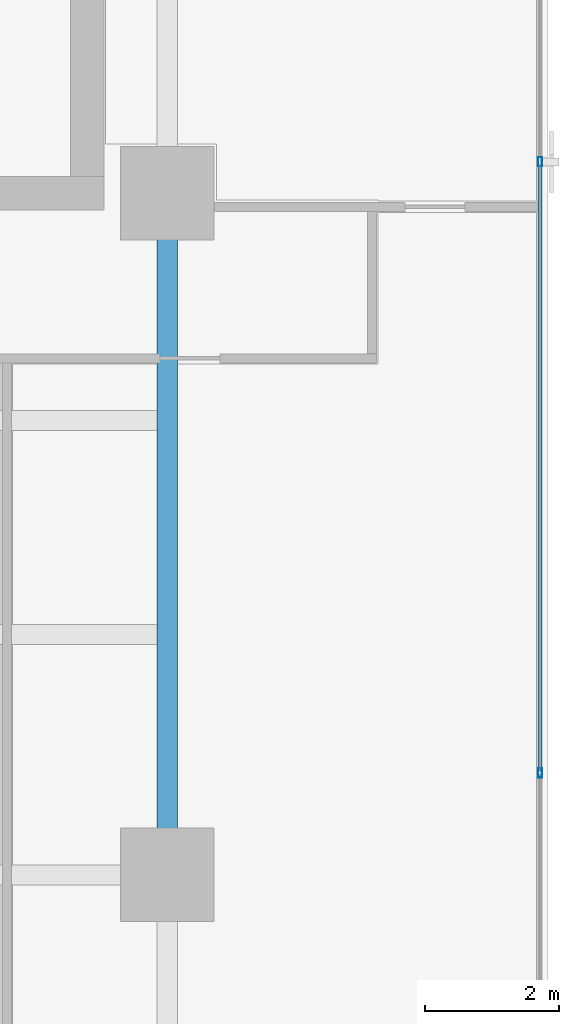
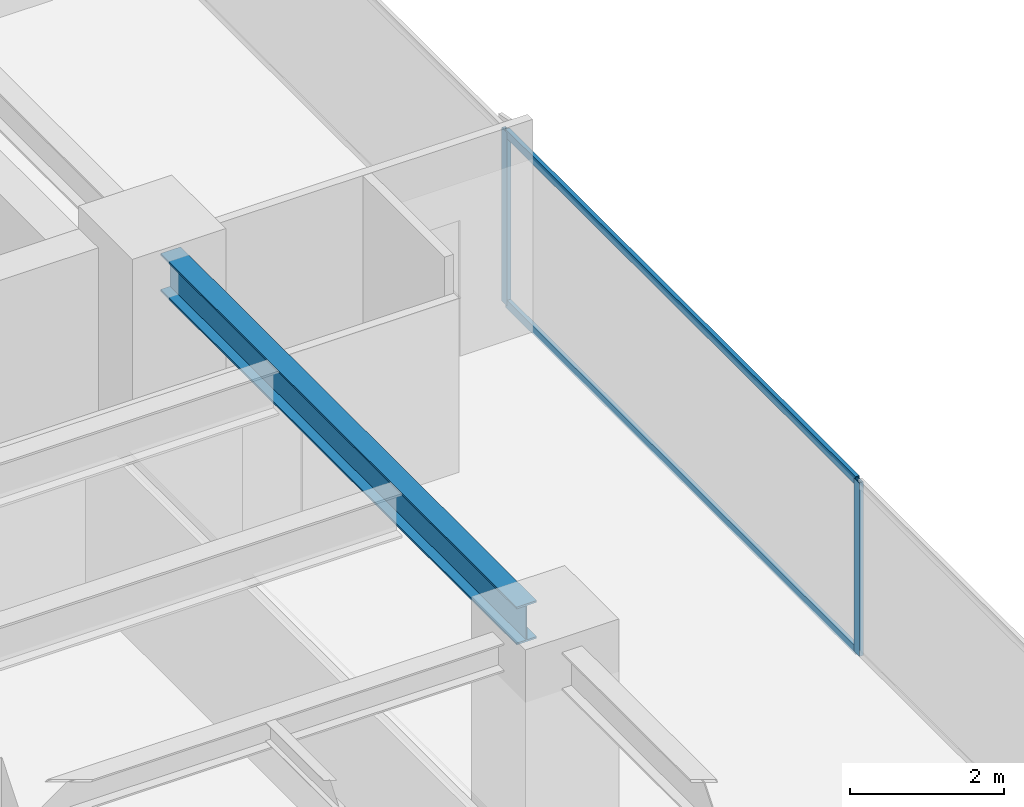
# One storey, part 13 of 25: 4 members, 1 beam, 1 element without a shape of its own.
"""IFC4 building model written with IfcOpenShell, lengths in metres."""

from ifc_helpers import new_model, si_unit, direction, frame, origin, origin_2d, place, context, subcontext, project, spatial, hollow_rectangle, i_section, extrude, source, transform, mapped, material, layer, layer_set, material_profile, profile_set, type_object, element, aggregate, save


model = new_model("IFC4")

# Units and contexts
model_context = context("Model", 3, precision=1e-05, world=origin(), true_north=direction((0.0, 1.0)))
body_context = subcontext(model_context, "Body", "Model", "MODEL_VIEW")
ifc_project = project(units=[si_unit("LENGTHUNIT", "METRE"), si_unit("AREAUNIT", "SQUARE_METRE"), si_unit("VOLUMEUNIT", "CUBIC_METRE"), si_unit("PLANEANGLEUNIT", "RADIAN"), si_unit("MASSUNIT", "GRAM", prefix="KILO")], contexts=[model_context])

# Site, building, storey
site_placement = place(None, origin())
site = spatial("IfcSite", under=ifc_project, at=site_placement, CompositionType="ELEMENT")
building_placement = place(site_placement, origin())
building = spatial("IfcBuilding", under=site, at=building_placement, Name="Sumidabori Civic Tower", CompositionType="ELEMENT")
storey_placement = place(building_placement, frame((0.0, 0.0, 239.60009765625)))
storey = spatial("IfcBuildingStorey", under=building, at=storey_placement, Name="L62", CompositionType="ELEMENT", Elevation=239.60009765625)

# Beam
ifc_material_1 = material(Name="Steel SN490", Category="steel")
ifc_material_profile_1 = material_profile(ifc_material_1, i_section(OverallWidth=0.300048828125, OverallDepth=0.60009765625, WebThickness=0.015380859375, FlangeThickness=0.030029296875, at=origin_2d()), Name="HE 600 B")
ifc_profile_set_1 = profile_set([ifc_material_profile_1], Name="Steel SN490")
beam_type = type_object("IfcBeamType", Name="BM-GIRD-600", PredefinedType="BEAM", material=ifc_profile_set_1)
shared_shape_1 = source(origin(), body_context, "Body", "SweptSolid", [
    extrude(i_section(OverallWidth=0.300048828125, OverallDepth=0.60009765625, WebThickness=0.015380859375, FlangeThickness=0.030029296875, at=origin_2d()), origin(), (0.0, 0.0, 1.0), 9.239990234375),
])
beam_placement = place(storey_placement, frame((16.800048828125, 0.47998046875, 3.06982421875), z_axis=(0.0, 1.0, 0.0), x_axis=(-1.0, 0.0, 0.0)))
element("IfcBeam", 1, at=beam_placement, inside=storey, type_object=beam_type, Name="Primary Girder L62 GY-16", PredefinedType="BEAM", context=body_context, shape_type="MappedRepresentation", body=[
    mapped(shared_shape_1, transform((0.0, 0.0, 0.0), x_axis=(1.0, 0.0, 0.0), y_axis=(0.0, 1.0, 0.0), z_axis=(0.0, 0.0, 1.0), scale=1.0)),
])

# Curtain wall, members
ifc_material_2 = material(Name="Anodised Bronze Aluminium AW-6063-T6", Category="aluminium")
ifc_layer = layer(ifc_material_2, 0.179931640625, Name="Anodised Bronze Aluminium AW-6063-T6")
ifc_layer_set = layer_set([ifc_layer], Name="Anodised Bronze Aluminium AW-6063-T6")
curtain_wall_type = type_object("IfcCurtainWallType", Name="CW-SYS-5", PredefinedType="NOTDEFINED", material=ifc_layer_set)
curtain_wall_placement = place(storey_placement, origin())
curtain_wall = element("IfcCurtainWall", 2, at=curtain_wall_placement, inside=storey, type_object=curtain_wall_type, Name="Curtain Wall CW:L62:R04", PredefinedType="NOTDEFINED")
ifc_material_profile_2 = material_profile(ifc_material_2, hollow_rectangle(XDim=0.06005859375, YDim=0.139892578125, WallThickness=0.0048828125, at=origin_2d()), Name="ALU MULLION 140x60")
ifc_profile_set_2 = profile_set([ifc_material_profile_2], Name="Anodised Bronze Aluminium AW-6063-T6")
member_type_1 = type_object("IfcMemberType", Name="CW-MUL-140", PredefinedType="MULLION", material=ifc_profile_set_2)
shared_shape_2 = source(origin(), body_context, "Body", "SweptSolid", [
    extrude(hollow_rectangle(XDim=0.06005859375, YDim=0.139892578125, WallThickness=0.0048828125, at=origin_2d()), origin(), (0.0, 0.0, 1.0), 2.75),
])
member_1_placement = place(storey_placement, frame((22.3798828125, 1.526611328125, 0.0), z_axis=(0.0, 0.0, 1.0), x_axis=(-1.0, 0.0, 0.0)))
member_1 = element("IfcMember", 3, at=member_1_placement, type_object=member_type_1, Name="CW-5 mullion 2", PredefinedType="MULLION", context=body_context, shape_type="MappedRepresentation", body=[
    mapped(shared_shape_2, transform((0.0, 0.0, 0.0), x_axis=(1.0, 0.0, 0.0), y_axis=(0.0, 1.0, 0.0), z_axis=(0.0, 0.0, 1.0), scale=1.0)),
])
member_2_placement = place(storey_placement, frame((22.3798828125, 10.67333984375, 0.0), z_axis=(0.0, 0.0, 1.0), x_axis=(-1.0, 0.0, 0.0)))
member_2 = element("IfcMember", 4, at=member_2_placement, type_object=member_type_1, Name="CW-5 mullion 3", PredefinedType="MULLION", context=body_context, shape_type="MappedRepresentation", body=[
    mapped(shared_shape_2, transform((0.0, 0.0, 0.0), x_axis=(1.0, 0.0, 0.0), y_axis=(0.0, 1.0, 0.0), z_axis=(0.0, 0.0, 1.0), scale=1.0)),
])
ifc_material_profile_3 = material_profile(ifc_material_2, hollow_rectangle(XDim=0.06005859375, YDim=0.1298828125, WallThickness=0.0048828125, at=origin_2d()), Name="ALU TRANSOM 130x60")
ifc_profile_set_3 = profile_set([ifc_material_profile_3], Name="Anodised Bronze Aluminium AW-6063-T6")
member_type_2 = type_object("IfcMemberType", Name="CW-TRN-130", PredefinedType="USERDEFINED", material=ifc_profile_set_3)
shared_shape_3 = source(origin(), body_context, "Body", "SweptSolid", [
    extrude(hollow_rectangle(XDim=0.06005859375, YDim=0.1298828125, WallThickness=0.0048828125, at=origin_2d()), origin(), (0.0, 0.0, 1.0), 9.086669921875),
])
member_3_placement = place(storey_placement, frame((22.3798828125, 1.556640625, 0.02978515625), z_axis=(0.0, 1.0, 0.0), x_axis=(-1.0, 0.0, 0.0)))
member_3 = element("IfcMember", 5, at=member_3_placement, type_object=member_type_2, Name="CW-5 transom 2.1", ObjectType="TRANSOM", PredefinedType="USERDEFINED", context=body_context, shape_type="MappedRepresentation", body=[
    mapped(shared_shape_3, transform((0.0, 0.0, 0.0), x_axis=(1.0, 0.0, 0.0), y_axis=(0.0, 1.0, 0.0), z_axis=(0.0, 0.0, 1.0), scale=1.0)),
])
member_4_placement = place(storey_placement, frame((22.3798828125, 1.556640625, 2.719970703125), z_axis=(0.0, 1.0, 0.0), x_axis=(-1.0, 0.0, 0.0)))
member_4 = element("IfcMember", 6, at=member_4_placement, type_object=member_type_2, Name="CW-5 transom 2.2", ObjectType="TRANSOM", PredefinedType="USERDEFINED", context=body_context, shape_type="MappedRepresentation", body=[
    mapped(shared_shape_3, transform((0.0, 0.0, 0.0), x_axis=(1.0, 0.0, 0.0), y_axis=(0.0, 1.0, 0.0), z_axis=(0.0, 0.0, 1.0), scale=1.0)),
])
aggregate(curtain_wall, [member_1, member_2, member_3, member_4])

save(model, "model.ifc")
